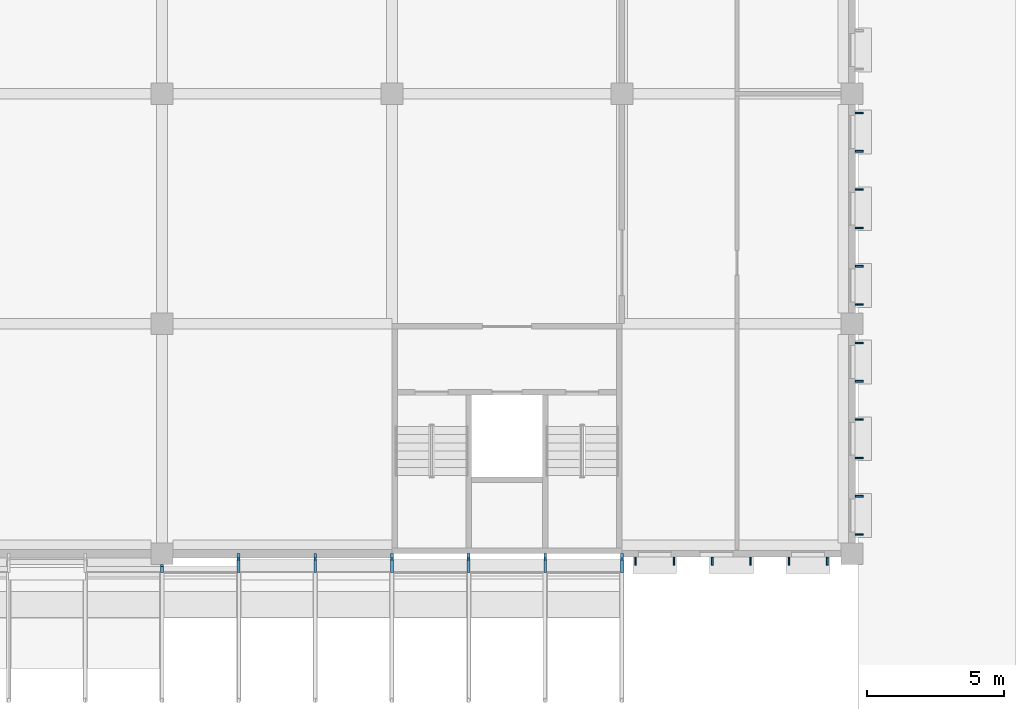
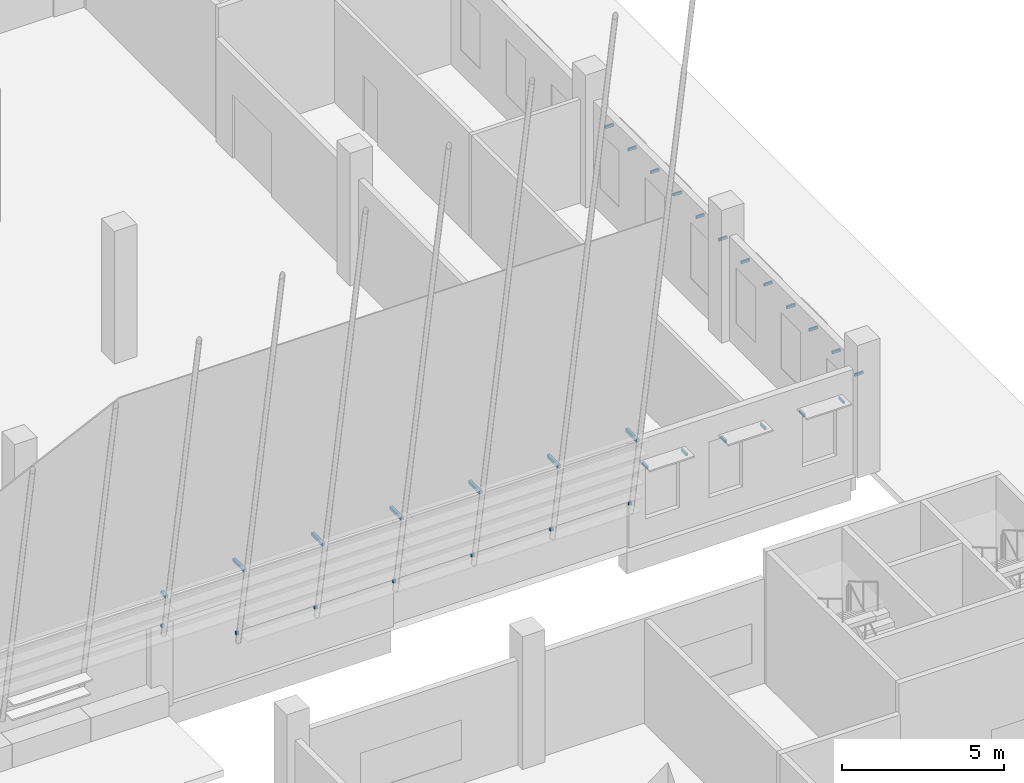
# One storey, part 56 of 101: 32 discrete accessories.
"""IFC4 building model written with IfcOpenShell, lengths in metres."""

from ifc_helpers import new_model, si_unit, direction, frame, origin, origin_2d, place, context, subcontext, project, spatial, rectangle, extrude, material, type_object, element, save


model = new_model("IFC4")

# Units and contexts
model_context = context("Model", 3, precision=1e-05, world=origin(), true_north=direction((0.0, 1.0)))
body_context = subcontext(model_context, "Body", "Model", "MODEL_VIEW")
ifc_project = project(units=[si_unit("LENGTHUNIT", "METRE"), si_unit("AREAUNIT", "SQUARE_METRE"), si_unit("VOLUMEUNIT", "CUBIC_METRE"), si_unit("PLANEANGLEUNIT", "RADIAN"), si_unit("MASSUNIT", "GRAM", prefix="KILO")], contexts=[model_context])

# Site, building, storey
site_placement = place(None, origin())
site = spatial("IfcSite", under=ifc_project, at=site_placement, CompositionType="ELEMENT")
building_placement = place(site_placement, origin())
building = spatial("IfcBuilding", under=site, at=building_placement, Name="Almond Square Museum", CompositionType="ELEMENT")
storey_placement = place(building_placement, frame((0.0, 0.0, 5.5)))
storey = spatial("IfcBuildingStorey", under=building, at=storey_placement, Name="L01", CompositionType="ELEMENT", Elevation=5.5)

# Discrete accessories
ifc_material_1 = material(Name="Stainless steel", Category="steel")
discrete_accessory_type_1 = type_object("IfcDiscreteAccessoryType", Name="Louvre post bracket", PredefinedType="BRACKET", material=ifc_material_1)
discrete_accessory_1_placement = place(storey_placement, frame((132.0, 49.963623046875, 3.1064453125), z_axis=(0.0, 0.0, 1.0), x_axis=(1.0, 0.0, 0.0)))
element("IfcDiscreteAccessory", 1, at=discrete_accessory_1_placement, inside=storey, type_object=discrete_accessory_type_1, Name="Bracket louvre post", PredefinedType="BRACKET", context=body_context, shape_type="SweptSolid", body=[
    extrude(rectangle(XDim=0.10009765625, YDim=0.076904296875, at=origin_2d()), origin(), (0.0, 0.0, 1.0), 0.1201171875),
])
discrete_accessory_2_placement = place(storey_placement, frame((132.0, 49.854736328125, 4.33984375), z_axis=(0.0, 0.0, 1.0), x_axis=(1.0, 0.0, 0.0)))
element("IfcDiscreteAccessory", 2, at=discrete_accessory_2_placement, inside=storey, type_object=discrete_accessory_type_1, Name="Bracket louvre post", PredefinedType="BRACKET", context=body_context, shape_type="SweptSolid", body=[
    extrude(rectangle(XDim=0.10009765625, YDim=0.29443359375, at=origin_2d()), origin(), (0.0, 0.0, 1.0), 0.1201171875),
])
discrete_accessory_3_placement = place(storey_placement, frame((134.800048828125, 50.213623046875, 1.688720703125), z_axis=(0.0, 0.0, 1.0), x_axis=(1.0, 0.0, 0.0)))
element("IfcDiscreteAccessory", 3, at=discrete_accessory_3_placement, inside=storey, type_object=discrete_accessory_type_1, Name="Bracket louvre post", PredefinedType="BRACKET", context=body_context, shape_type="SweptSolid", body=[
    extrude(rectangle(XDim=0.10009765625, YDim=0.076904296875, at=origin_2d()), origin(), (0.0, 0.0, 1.0), 0.1201171875),
])
discrete_accessory_4_placement = place(storey_placement, frame((134.800048828125, 50.0546875, 4.33984375), z_axis=(0.0, 0.0, 1.0), x_axis=(1.0, 0.0, 0.0)))
element("IfcDiscreteAccessory", 4, at=discrete_accessory_4_placement, inside=storey, type_object=discrete_accessory_type_1, Name="Bracket louvre post", PredefinedType="BRACKET", context=body_context, shape_type="SweptSolid", body=[
    extrude(rectangle(XDim=0.10009765625, YDim=0.6943359375, at=origin_2d()), origin(), (0.0, 0.0, 1.0), 0.1201171875),
])
discrete_accessory_5_placement = place(storey_placement, frame((137.60009765625, 50.213623046875, 1.688720703125), z_axis=(0.0, 0.0, 1.0), x_axis=(1.0, 0.0, 0.0)))
element("IfcDiscreteAccessory", 5, at=discrete_accessory_5_placement, inside=storey, type_object=discrete_accessory_type_1, Name="Bracket louvre post", PredefinedType="BRACKET", context=body_context, shape_type="SweptSolid", body=[
    extrude(rectangle(XDim=0.10009765625, YDim=0.076904296875, at=origin_2d()), origin(), (0.0, 0.0, 1.0), 0.1201171875),
])
discrete_accessory_6_placement = place(storey_placement, frame((137.60009765625, 50.0546875, 4.33984375), z_axis=(0.0, 0.0, 1.0), x_axis=(1.0, 0.0, 0.0)))
element("IfcDiscreteAccessory", 6, at=discrete_accessory_6_placement, inside=storey, type_object=discrete_accessory_type_1, Name="Bracket louvre post", PredefinedType="BRACKET", context=body_context, shape_type="SweptSolid", body=[
    extrude(rectangle(XDim=0.10009765625, YDim=0.6943359375, at=origin_2d()), origin(), (0.0, 0.0, 1.0), 0.1201171875),
])
discrete_accessory_7_placement = place(storey_placement, frame((140.39990234375, 50.213623046875, 1.688720703125), z_axis=(0.0, 0.0, 1.0), x_axis=(1.0, 0.0, 0.0)))
element("IfcDiscreteAccessory", 7, at=discrete_accessory_7_placement, inside=storey, type_object=discrete_accessory_type_1, Name="Bracket louvre post", PredefinedType="BRACKET", context=body_context, shape_type="SweptSolid", body=[
    extrude(rectangle(XDim=0.10009765625, YDim=0.076904296875, at=origin_2d()), origin(), (0.0, 0.0, 1.0), 0.1201171875),
])
discrete_accessory_8_placement = place(storey_placement, frame((140.39990234375, 50.0546875, 4.33984375), z_axis=(0.0, 0.0, 1.0), x_axis=(1.0, 0.0, 0.0)))
element("IfcDiscreteAccessory", 8, at=discrete_accessory_8_placement, inside=storey, type_object=discrete_accessory_type_1, Name="Bracket louvre post", PredefinedType="BRACKET", context=body_context, shape_type="SweptSolid", body=[
    extrude(rectangle(XDim=0.10009765625, YDim=0.6943359375, at=origin_2d()), origin(), (0.0, 0.0, 1.0), 0.1201171875),
])
discrete_accessory_9_placement = place(storey_placement, frame((143.199951171875, 50.213623046875, 1.688720703125), z_axis=(0.0, 0.0, 1.0), x_axis=(1.0, 0.0, 0.0)))
element("IfcDiscreteAccessory", 9, at=discrete_accessory_9_placement, inside=storey, type_object=discrete_accessory_type_1, Name="Bracket louvre post", PredefinedType="BRACKET", context=body_context, shape_type="SweptSolid", body=[
    extrude(rectangle(XDim=0.10009765625, YDim=0.076904296875, at=origin_2d()), origin(), (0.0, 0.0, 1.0), 0.1201171875),
])
discrete_accessory_10_placement = place(storey_placement, frame((143.199951171875, 50.0546875, 4.33984375), z_axis=(0.0, 0.0, 1.0), x_axis=(1.0, 0.0, 0.0)))
element("IfcDiscreteAccessory", 10, at=discrete_accessory_10_placement, inside=storey, type_object=discrete_accessory_type_1, Name="Bracket louvre post", PredefinedType="BRACKET", context=body_context, shape_type="SweptSolid", body=[
    extrude(rectangle(XDim=0.10009765625, YDim=0.6943359375, at=origin_2d()), origin(), (0.0, 0.0, 1.0), 0.1201171875),
])
discrete_accessory_11_placement = place(storey_placement, frame((146.0, 50.213623046875, 1.688720703125), z_axis=(0.0, 0.0, 1.0), x_axis=(1.0, 0.0, 0.0)))
element("IfcDiscreteAccessory", 11, at=discrete_accessory_11_placement, inside=storey, type_object=discrete_accessory_type_1, Name="Bracket louvre post", PredefinedType="BRACKET", context=body_context, shape_type="SweptSolid", body=[
    extrude(rectangle(XDim=0.10009765625, YDim=0.076904296875, at=origin_2d()), origin(), (0.0, 0.0, 1.0), 0.1201171875),
])
discrete_accessory_12_placement = place(storey_placement, frame((146.0, 50.0546875, 4.33984375), z_axis=(0.0, 0.0, 1.0), x_axis=(1.0, 0.0, 0.0)))
element("IfcDiscreteAccessory", 12, at=discrete_accessory_12_placement, inside=storey, type_object=discrete_accessory_type_1, Name="Bracket louvre post", PredefinedType="BRACKET", context=body_context, shape_type="SweptSolid", body=[
    extrude(rectangle(XDim=0.10009765625, YDim=0.6943359375, at=origin_2d()), origin(), (0.0, 0.0, 1.0), 0.1201171875),
])
discrete_accessory_13_placement = place(storey_placement, frame((148.800048828125, 50.213623046875, 1.688720703125), z_axis=(0.0, 0.0, 1.0), x_axis=(1.0, 0.0, 0.0)))
element("IfcDiscreteAccessory", 13, at=discrete_accessory_13_placement, inside=storey, type_object=discrete_accessory_type_1, Name="Bracket louvre post", PredefinedType="BRACKET", context=body_context, shape_type="SweptSolid", body=[
    extrude(rectangle(XDim=0.10009765625, YDim=0.076904296875, at=origin_2d()), origin(), (0.0, 0.0, 1.0), 0.1201171875),
])
discrete_accessory_14_placement = place(storey_placement, frame((148.800048828125, 50.0546875, 4.33984375), z_axis=(0.0, 0.0, 1.0), x_axis=(1.0, 0.0, 0.0)))
element("IfcDiscreteAccessory", 14, at=discrete_accessory_14_placement, inside=storey, type_object=discrete_accessory_type_1, Name="Bracket louvre post", PredefinedType="BRACKET", context=body_context, shape_type="SweptSolid", body=[
    extrude(rectangle(XDim=0.10009765625, YDim=0.6943359375, at=origin_2d()), origin(), (0.0, 0.0, 1.0), 0.1201171875),
])
ifc_material_2 = material(Name="Stainless steel", Category="steel")
discrete_accessory_type_2 = type_object("IfcDiscreteAccessoryType", Name="Sun-shade blade bracket", PredefinedType="BRACKET", material=ifc_material_2)
for number, where, z_axis, x_axis, name in (
    (15, (149.300048828125, 50.126953125, 2.9970703125), (0.0, 0.0, 1.0), (1.0, 0.0, 0.0), "Bracket sun-shade blade"),
    (16, (150.699951171875, 50.126953125, 2.9970703125), (0.0, 0.0, 1.0), (1.0, 0.0, 0.0), "Bracket sun-shade blade"),
    (17, (152.10009765625, 50.126953125, 2.9970703125), (0.0, 0.0, 1.0), (1.0, 0.0, 0.0), "Bracket sun-shade blade"),
    (18, (153.5, 50.126953125, 2.9970703125), (0.0, 0.0, 1.0), (1.0, 0.0, 0.0), "Bracket sun-shade blade"),
    (19, (154.89990234375, 50.126953125, 2.9970703125), (0.0, 0.0, 1.0), (1.0, 0.0, 0.0), "Bracket sun-shade blade"),
    (20, (156.300048828125, 50.126953125, 2.9970703125), (0.0, 0.0, 1.0), (1.0, 0.0, 0.0), "Bracket sun-shade blade"),
):
    element("IfcDiscreteAccessory", number, at=place(storey_placement, frame(where, z_axis=z_axis, x_axis=x_axis)), inside=storey, type_object=discrete_accessory_type_2, Name=name, PredefinedType="BRACKET", context=body_context, shape_type="SweptSolid", body=[
        extrude(rectangle(XDim=0.06005859375, YDim=0.300048828125, at=origin_2d()), origin(), (0.0, 0.0, 1.0), 0.10009765625),
    ])
for number, where, z_axis, x_axis, name in (
    (21, (157.472900390625, 51.10009765625, 2.9970703125), (0.0, 0.0, 1.0), (1.0, 0.0, 0.0), "Bracket sun-shade blade"),
    (22, (157.472900390625, 52.5, 2.9970703125), (0.0, 0.0, 1.0), (1.0, 0.0, 0.0), "Bracket sun-shade blade"),
    (23, (157.472900390625, 53.89990234375, 2.9970703125), (0.0, 0.0, 1.0), (1.0, 0.0, 0.0), "Bracket sun-shade blade"),
    (24, (157.472900390625, 55.300048828125, 2.9970703125), (0.0, 0.0, 1.0), (1.0, 0.0, 0.0), "Bracket sun-shade blade"),
    (25, (157.472900390625, 56.699951171875, 2.9970703125), (0.0, 0.0, 1.0), (1.0, 0.0, 0.0), "Bracket sun-shade blade"),
    (26, (157.472900390625, 58.10009765625, 2.9970703125), (0.0, 0.0, 1.0), (1.0, 0.0, 0.0), "Bracket sun-shade blade"),
    (27, (157.472900390625, 59.5, 2.9970703125), (0.0, 0.0, 1.0), (1.0, 0.0, 0.0), "Bracket sun-shade blade"),
    (28, (157.472900390625, 60.89990234375, 2.9970703125), (0.0, 0.0, 1.0), (1.0, 0.0, 0.0), "Bracket sun-shade blade"),
    (29, (157.472900390625, 62.300048828125, 2.9970703125), (0.0, 0.0, 1.0), (1.0, 0.0, 0.0), "Bracket sun-shade blade"),
    (30, (157.472900390625, 63.699951171875, 2.9970703125), (0.0, 0.0, 1.0), (1.0, 0.0, 0.0), "Bracket sun-shade blade"),
    (31, (157.472900390625, 65.10009765625, 2.9970703125), (0.0, 0.0, 1.0), (1.0, 0.0, 0.0), "Bracket sun-shade blade"),
    (32, (157.472900390625, 66.5, 2.9970703125), (0.0, 0.0, 1.0), (1.0, 0.0, 0.0), "Bracket sun-shade blade"),
):
    element("IfcDiscreteAccessory", number, at=place(storey_placement, frame(where, z_axis=z_axis, x_axis=x_axis)), inside=storey, type_object=discrete_accessory_type_2, Name=name, PredefinedType="BRACKET", context=body_context, shape_type="SweptSolid", body=[
        extrude(rectangle(XDim=0.300048828125, YDim=0.06005859375, at=origin_2d()), origin(), (0.0, 0.0, 1.0), 0.10009765625),
    ])

save(model, "model.ifc")
